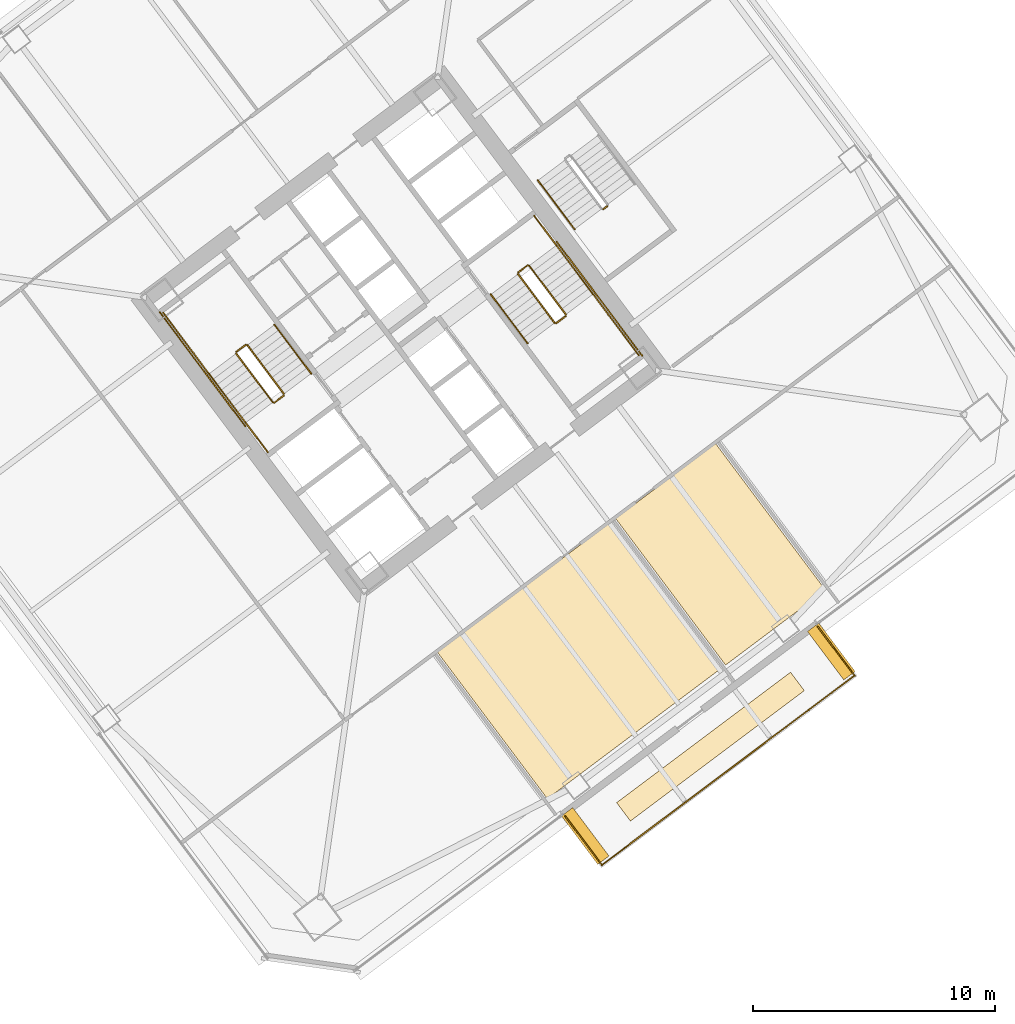
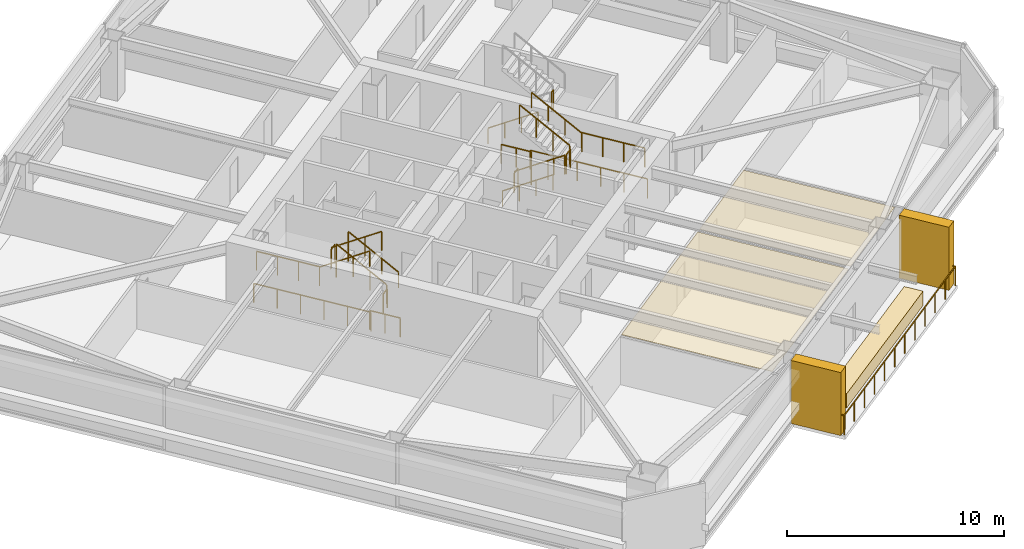
# One storey, part 42 of 44: 23 railings, 5 coverings.
"""IFC4 building model written with IfcOpenShell, lengths in metres."""

from ifc_helpers import new_model, si_unit, direction, frame, origin, origin_2d, place, context, subcontext, project, spatial, polyline, rectangle, outline, extrude, material, layer, layer_set, type_object, element, save


model = new_model("IFC4")

# Units and contexts
model_context = context("Model", 3, precision=1e-05, world=origin(), true_north=direction((0.0, 1.0)))
body_context = subcontext(model_context, "Body", "Model", "MODEL_VIEW")
ifc_project = project(units=[si_unit("LENGTHUNIT", "METRE"), si_unit("AREAUNIT", "SQUARE_METRE"), si_unit("VOLUMEUNIT", "CUBIC_METRE"), si_unit("PLANEANGLEUNIT", "RADIAN"), si_unit("MASSUNIT", "GRAM", prefix="KILO")], contexts=[model_context])

# Site, building, storey
site_placement = place(None, origin())
site = spatial("IfcSite", under=ifc_project, at=site_placement, CompositionType="ELEMENT")
building_placement = place(site_placement, origin())
building = spatial("IfcBuilding", under=site, at=building_placement, Name="Tashvorn Skyway Center", CompositionType="ELEMENT")
storey_placement = place(building_placement, frame((0.0, 0.0, 102.699951171875)))
storey = spatial("IfcBuildingStorey", under=building, at=storey_placement, Name="L27", CompositionType="ELEMENT", Elevation=102.699951171875)

# Coverings
ifc_material_1 = material(Name="Mineral-fibre acoustic ceiling tile on suspended grid")
ifc_layer_1 = layer(ifc_material_1, 0.02001953125)
ifc_layer_set_1 = layer_set([ifc_layer_1], Name="Mineral-fibre acoustic ceiling tile on suspended grid")
covering_type_1 = type_object("IfcCoveringType", Name="COV-CEIL-20", PredefinedType="CEILING", material=ifc_layer_set_1)
covering_1_placement = place(storey_placement, frame((0.0, 0.0, 2.68310546875)))
element("IfcCovering", 1, at=covering_1_placement, inside=storey, type_object=covering_type_1, Name="Tower 2 L27 Reading Lounge Acoustic Ceiling", PredefinedType="CEILING", context=body_context, shape_type="SweptSolid", body=[
    extrude(outline(polyline([(115.501953125, 18.864013671875), (122.669921875, 24.239990234375), (127.2119140625, 18.18408203125), (120.0439453125, 12.80810546875), (115.501953125, 18.864013671875)])), origin(), (0.0, 0.0, 1.0), 0.02001953125),
])
covering_2_placement = place(storey_placement, frame((0.0, 0.0, 2.68310546875)))
element("IfcCovering", 2, at=covering_2_placement, inside=storey, type_object=covering_type_1, Name="Tower 2 L27 Reading Lounge Acoustic Ceiling", PredefinedType="CEILING", context=body_context, shape_type="SweptSolid", body=[
    extrude(outline(polyline([(122.862060546875, 24.384033203125), (126.989990234375, 27.47998046875), (131.531982421875, 21.424072265625), (127.404052734375, 18.327880859375), (122.862060546875, 24.384033203125)])), origin(), (0.0, 0.0, 1.0), 0.02001953125),
])
ifc_material_2 = material(Name="Precast concrete C40/50", Category="concrete")
ifc_layer_2 = layer(ifc_material_2, 0.35009765625)
ifc_layer_set_2 = layer_set([ifc_layer_2], Name="Precast concrete C40/50")
covering_type_2 = type_object("IfcCoveringType", Name="COV-STONE-TRIM", PredefinedType="CLADDING", material=ifc_layer_set_2)
for number, where, z_axis, x_axis, name in (
    (3, (131.77001953125, 18.889892578125, 0.0), (0.0, 0.0, 1.0), (-0.799999996291, -0.600000004945, 0.0), "Tower 2 L27 Sky Garden Loggia Pier L"),
    (4, (121.610107421875, 11.27001953125, 0.0), (0.0, 0.0, 1.0), (-0.799999996291, -0.600000004945, 0.0), "Tower 2 L27 Sky Garden Loggia Pier R"),
):
    element("IfcCovering", number, at=place(storey_placement, frame(where, z_axis=z_axis, x_axis=x_axis)), inside=storey, type_object=covering_type_2, Name=name, PredefinedType="CLADDING", context=body_context, shape_type="SweptSolid", body=[
        extrude(rectangle(XDim=0.580078125, YDim=2.5, at=origin_2d()), origin(), (0.0, 0.0, 1.0), 3.550048828125),
    ])
covering_3_placement = place(storey_placement, frame((126.780029296875, 14.9599609375, 0.0), z_axis=(0.0, 0.0, 1.0), x_axis=(-0.799999996291, -0.600000004945, 0.0)))
element("IfcCovering", 5, at=covering_3_placement, inside=storey, type_object=covering_type_2, Name="Tower 2 L27 Sky Garden Stone Planter Bed", PredefinedType="CLADDING", context=body_context, shape_type="SweptSolid", body=[
    extrude(rectangle(XDim=8.97607421875, YDim=0.949951171875, at=origin_2d()), origin(), (0.0, 0.0, 1.0), 0.800048828125),
])

# Railings
ifc_material_3 = material(Name="Galvanized steel S355", Category="steel")
railing_type_1 = type_object("IfcRailingType", Name="RAIL-GUARD-1120", PredefinedType="GUARDRAIL", material=ifc_material_3)
railing_1_placement = place(storey_placement, frame((120.783935546875, 12.087890625, 0.0)))
element("IfcRailing", 6, at=railing_1_placement, inside=storey, type_object=railing_type_1, Name="L27 Tower 2 Terrace Guardrail 01", PredefinedType="GUARDRAIL", context=body_context, shape_type="SweptSolid", body=[
    extrude(rectangle(XDim=0.048095703125, YDim=0.048095703125, at=origin_2d()), frame((0.0, 0.0, 1.09619140625), z_axis=(0.60001550166, -0.79998837352, 0.0), x_axis=(0.79998837352, 0.60001550166, 0.0)), (0.0, 0.0, 1.0), 2.519775390625),
    extrude(rectangle(XDim=0.0419921875, YDim=0.0419921875, at=origin_2d()), origin(), (0.0, 0.0, 1.0), 1.072021484375),
    extrude(rectangle(XDim=0.0419921875, YDim=0.0419921875, at=origin_2d()), frame((0.50390625, -0.671875, 0.0)), (0.0, 0.0, 1.0), 1.072021484375),
    extrude(rectangle(XDim=0.0419921875, YDim=0.0419921875, at=origin_2d()), frame((1.008056640625, -1.343994140625, 0.0)), (0.0, 0.0, 1.0), 1.072021484375),
    extrude(rectangle(XDim=0.0419921875, YDim=0.0419921875, at=origin_2d()), frame((1.511962890625, -2.015869140625, 0.0)), (0.0, 0.0, 1.0), 1.072021484375),
])
railing_2_placement = place(storey_placement, frame((122.2958984375, 10.072021484375, 0.0)))
element("IfcRailing", 7, at=railing_2_placement, inside=storey, type_object=railing_type_1, Name="L27 Tower 2 Terrace Guardrail 02", PredefinedType="GUARDRAIL", context=body_context, shape_type="SweptSolid", body=[
    extrude(rectangle(XDim=0.048095703125, YDim=0.048095703125, at=origin_2d()), frame((0.0, 0.0, 1.09619140625), z_axis=(0.800004493333, 0.599994008843, 0.0), x_axis=(-0.599994008843, 0.800004493333, 0.0)), (0.0, 0.0, 1.0), 13.0400390625),
    extrude(rectangle(XDim=0.0419921875, YDim=0.0419921875, at=origin_2d()), origin(), (0.0, 0.0, 1.0), 1.072021484375),
    extrude(rectangle(XDim=0.0419921875, YDim=0.0419921875, at=origin_2d()), frame((0.948486328125, 0.711181640625, 0.0)), (0.0, 0.0, 1.0), 1.072021484375),
    extrude(rectangle(XDim=0.0419921875, YDim=0.0419921875, at=origin_2d()), frame((1.896728515625, 1.422607421875, 0.0)), (0.0, 0.0, 1.0), 1.072021484375),
    extrude(rectangle(XDim=0.0419921875, YDim=0.0419921875, at=origin_2d()), frame((2.84521484375, 2.1337890625, 0.0)), (0.0, 0.0, 1.0), 1.072021484375),
    extrude(rectangle(XDim=0.0419921875, YDim=0.0419921875, at=origin_2d()), frame((3.79345703125, 2.844970703125, 0.0)), (0.0, 0.0, 1.0), 1.072021484375),
    extrude(rectangle(XDim=0.0419921875, YDim=0.0419921875, at=origin_2d()), frame((4.741943359375, 3.556396484375, 0.0)), (0.0, 0.0, 1.0), 1.072021484375),
    extrude(rectangle(XDim=0.0419921875, YDim=0.0419921875, at=origin_2d()), frame((5.690185546875, 4.267578125, 0.0)), (0.0, 0.0, 1.0), 1.072021484375),
    extrude(rectangle(XDim=0.0419921875, YDim=0.0419921875, at=origin_2d()), frame((6.638671875, 4.97900390625, 0.0)), (0.0, 0.0, 1.0), 1.072021484375),
    extrude(rectangle(XDim=0.0419921875, YDim=0.0419921875, at=origin_2d()), frame((7.5869140625, 5.690185546875, 0.0)), (0.0, 0.0, 1.0), 1.072021484375),
    extrude(rectangle(XDim=0.0419921875, YDim=0.0419921875, at=origin_2d()), frame((8.535400390625, 6.4013671875, 0.0)), (0.0, 0.0, 1.0), 1.072021484375),
    extrude(rectangle(XDim=0.0419921875, YDim=0.0419921875, at=origin_2d()), frame((9.483642578125, 7.11279296875, 0.0)), (0.0, 0.0, 1.0), 1.072021484375),
    extrude(rectangle(XDim=0.0419921875, YDim=0.0419921875, at=origin_2d()), frame((10.43212890625, 7.823974609375, 0.0)), (0.0, 0.0, 1.0), 1.072021484375),
])
railing_3_placement = place(storey_placement, frame((132.72802734375, 17.89599609375, 0.0)))
element("IfcRailing", 8, at=railing_3_placement, inside=storey, type_object=railing_type_1, Name="L27 Tower 2 Terrace Guardrail 03", PredefinedType="GUARDRAIL", context=body_context, shape_type="SweptSolid", body=[
    extrude(rectangle(XDim=0.048095703125, YDim=0.048095703125, at=origin_2d()), frame((0.0, 0.0, 1.09619140625), z_axis=(-0.599968998406, 0.800023250257, 0.0), x_axis=(-0.800023250257, -0.599968998406, 0.0)), (0.0, 0.0, 1.0), 2.52001953125),
    extrude(rectangle(XDim=0.0419921875, YDim=0.0419921875, at=origin_2d()), origin(), (0.0, 0.0, 1.0), 1.072021484375),
    extrude(rectangle(XDim=0.0419921875, YDim=0.0419921875, at=origin_2d()), frame((-0.50390625, 0.672119140625, 0.0)), (0.0, 0.0, 1.0), 1.072021484375),
    extrude(rectangle(XDim=0.0419921875, YDim=0.0419921875, at=origin_2d()), frame((-1.008056640625, 1.343994140625, 0.0)), (0.0, 0.0, 1.0), 1.072021484375),
    extrude(rectangle(XDim=0.0419921875, YDim=0.0419921875, at=origin_2d()), frame((-1.511962890625, 2.01611328125, 0.0)), (0.0, 0.0, 1.0), 1.072021484375),
])
ifc_material_4 = material(Name="Brushed stainless steel 316", Category="steel")
railing_type_2 = type_object("IfcRailingType", Name="RAIL-HAND-920", PredefinedType="HANDRAIL", material=ifc_material_4)
railing_4_placement = place(storey_placement, frame((110.2880859375, 30.365966796875, 0.177490234375)))
element("IfcRailing", 9, at=railing_4_placement, inside=storey, type_object=railing_type_2, Name="L27 ST-T2-1 stair handrail 1", PredefinedType="HANDRAIL", context=body_context, shape_type="SweptSolid", body=[
    extrude(rectangle(XDim=0.048095703125, YDim=0.048095703125, at=origin_2d()), frame((0.0, 0.0, 0.8759765625), z_axis=(-0.506779409603, 0.675651334276, 0.53541563714), x_axis=(-0.799976749893, -0.600030998891, 0.0)), (0.0, 0.0, 1.0), 2.98388671875),
    extrude(rectangle(XDim=0.0419921875, YDim=0.0419921875, at=origin_2d()), origin(), (0.0, 0.0, 1.0), 0.851806640625),
    extrude(rectangle(XDim=0.0419921875, YDim=0.0419921875, at=origin_2d()), frame((-0.504150390625, 0.672119140625, 0.532470703125)), (0.0, 0.0, 1.0), 0.851806640625),
    extrude(rectangle(XDim=0.0419921875, YDim=0.0419921875, at=origin_2d()), frame((-1.008056640625, 1.343994140625, 1.065185546875)), (0.0, 0.0, 1.0), 0.851806640625),
    extrude(rectangle(XDim=0.0419921875, YDim=0.0419921875, at=origin_2d()), frame((-1.51220703125, 2.01611328125, 1.59765625)), (0.0, 0.0, 1.0), 0.851806640625),
])
railing_5_placement = place(storey_placement, frame((106.072021484375, 30.35400390625, 1.95263671875)))
element("IfcRailing", 10, at=railing_5_placement, inside=storey, type_object=railing_type_2, Name="L27 ST-T2-1 stair handrail 2", PredefinedType="HANDRAIL", context=body_context, shape_type="SweptSolid", body=[
    extrude(rectangle(XDim=0.048095703125, YDim=0.048095703125, at=origin_2d()), frame((0.0, 0.0, 0.8759765625), z_axis=(0.506740800098, -0.675708949977, 0.535379469569), x_axis=(0.800023250257, 0.599968998406, 0.0)), (0.0, 0.0, 1.0), 2.983642578125),
    extrude(rectangle(XDim=0.0419921875, YDim=0.0419921875, at=origin_2d()), origin(), (0.0, 0.0, 1.0), 0.851806640625),
    extrude(rectangle(XDim=0.0419921875, YDim=0.0419921875, at=origin_2d()), frame((0.50390625, -0.672119140625, 0.532470703125)), (0.0, 0.0, 1.0), 0.851806640625),
    extrude(rectangle(XDim=0.0419921875, YDim=0.0419921875, at=origin_2d()), frame((1.008056640625, -1.343994140625, 1.06494140625)), (0.0, 0.0, 1.0), 0.851806640625),
    extrude(rectangle(XDim=0.0419921875, YDim=0.0419921875, at=origin_2d()), frame((1.511962890625, -2.01611328125, 1.597412109375)), (0.0, 0.0, 1.0), 0.851806640625),
])
railing_6_placement = place(storey_placement, frame((117.7119140625, 33.634033203125, 0.177490234375)))
element("IfcRailing", 11, at=railing_6_placement, inside=storey, type_object=railing_type_2, Name="L27 ST-T2-2 stair handrail 1", PredefinedType="HANDRAIL", context=body_context, shape_type="SweptSolid", body=[
    extrude(rectangle(XDim=0.048095703125, YDim=0.048095703125, at=origin_2d()), frame((0.0, 0.0, 0.8759765625), z_axis=(0.506779409603, -0.675651334276, 0.53541563714), x_axis=(0.799976749893, 0.600030998891, 0.0)), (0.0, 0.0, 1.0), 2.98388671875),
    extrude(rectangle(XDim=0.0419921875, YDim=0.0419921875, at=origin_2d()), origin(), (0.0, 0.0, 1.0), 0.851806640625),
    extrude(rectangle(XDim=0.0419921875, YDim=0.0419921875, at=origin_2d()), frame((0.504150390625, -0.672119140625, 0.532470703125)), (0.0, 0.0, 1.0), 0.851806640625),
    extrude(rectangle(XDim=0.0419921875, YDim=0.0419921875, at=origin_2d()), frame((1.008056640625, -1.343994140625, 1.065185546875)), (0.0, 0.0, 1.0), 0.851806640625),
    extrude(rectangle(XDim=0.0419921875, YDim=0.0419921875, at=origin_2d()), frame((1.51220703125, -2.01611328125, 1.59765625)), (0.0, 0.0, 1.0), 0.851806640625),
])
railing_7_placement = place(storey_placement, frame((121.927978515625, 33.64599609375, 1.95263671875)))
element("IfcRailing", 12, at=railing_7_placement, inside=storey, type_object=railing_type_2, Name="L27 ST-T2-2 stair handrail 2", PredefinedType="HANDRAIL", context=body_context, shape_type="SweptSolid", body=[
    extrude(rectangle(XDim=0.048095703125, YDim=0.048095703125, at=origin_2d()), frame((0.0, 0.0, 0.8759765625), z_axis=(-0.506740800098, 0.675708949977, 0.535379469569), x_axis=(-0.800023250257, -0.599968998406, 0.0)), (0.0, 0.0, 1.0), 2.983642578125),
    extrude(rectangle(XDim=0.0419921875, YDim=0.0419921875, at=origin_2d()), origin(), (0.0, 0.0, 1.0), 0.851806640625),
    extrude(rectangle(XDim=0.0419921875, YDim=0.0419921875, at=origin_2d()), frame((-0.50390625, 0.672119140625, 0.532470703125)), (0.0, 0.0, 1.0), 0.851806640625),
    extrude(rectangle(XDim=0.0419921875, YDim=0.0419921875, at=origin_2d()), frame((-1.008056640625, 1.343994140625, 1.06494140625)), (0.0, 0.0, 1.0), 0.851806640625),
    extrude(rectangle(XDim=0.0419921875, YDim=0.0419921875, at=origin_2d()), frame((-1.511962890625, 2.01611328125, 1.597412109375)), (0.0, 0.0, 1.0), 0.851806640625),
])
railing_8_placement = place(storey_placement, frame((119.656005859375, 38.342041015625, 0.177490234375)))
element("IfcRailing", 13, at=railing_8_placement, inside=storey, type_object=railing_type_2, Name="L27 ST-T2-3 stair handrail 1", PredefinedType="HANDRAIL", context=body_context, shape_type="SweptSolid", body=[
    extrude(rectangle(XDim=0.048095703125, YDim=0.048095703125, at=origin_2d()), frame((0.0, 0.0, 0.8759765625), z_axis=(0.506718600913, -0.675679348675, 0.535437836974), x_axis=(0.800023250257, 0.599968998406, 0.0)), (0.0, 0.0, 1.0), 2.98388671875),
    extrude(rectangle(XDim=0.0419921875, YDim=0.0419921875, at=origin_2d()), origin(), (0.0, 0.0, 1.0), 0.851806640625),
    extrude(rectangle(XDim=0.0419921875, YDim=0.0419921875, at=origin_2d()), frame((0.50390625, -0.672119140625, 0.532470703125)), (0.0, 0.0, 1.0), 0.851806640625),
    extrude(rectangle(XDim=0.0419921875, YDim=0.0419921875, at=origin_2d()), frame((1.008056640625, -1.343994140625, 1.065185546875)), (0.0, 0.0, 1.0), 0.851806640625),
    extrude(rectangle(XDim=0.0419921875, YDim=0.0419921875, at=origin_2d()), frame((1.511962890625, -2.01611328125, 1.59765625)), (0.0, 0.0, 1.0), 0.851806640625),
])
ifc_material_5 = material(Name="Painted galvanized steel S355", Category="steel")
railing_type_3 = type_object("IfcRailingType", Name="RAIL-STGUARD-1100", PredefinedType="GUARDRAIL", material=ifc_material_5)
railing_9_placement = place(storey_placement, frame((109.16796875, 29.52587890625, 0.177490234375)))
element("IfcRailing", 14, at=railing_9_placement, inside=storey, type_object=railing_type_3, Name="L27 ST-T2-1 stair guard 1", PredefinedType="GUARDRAIL", context=body_context, shape_type="SweptSolid", body=[
    extrude(rectangle(XDim=0.048095703125, YDim=0.048095703125, at=origin_2d()), frame((0.0, 0.0, 1.076171875), z_axis=(-0.506718600913, 0.675679348675, 0.535437836974), x_axis=(-0.800023250257, -0.599968998406, 0.0)), (0.0, 0.0, 1.0), 2.98388671875),
    extrude(rectangle(XDim=0.0419921875, YDim=0.0419921875, at=origin_2d()), origin(), (0.0, 0.0, 1.0), 1.052001953125),
    extrude(rectangle(XDim=0.0419921875, YDim=0.0419921875, at=origin_2d()), frame((-0.50390625, 0.672119140625, 0.532470703125)), (0.0, 0.0, 1.0), 1.052001953125),
    extrude(rectangle(XDim=0.0419921875, YDim=0.0419921875, at=origin_2d()), frame((-1.008056640625, 1.343994140625, 1.065185546875)), (0.0, 0.0, 1.0), 1.052001953125),
    extrude(rectangle(XDim=0.0419921875, YDim=0.0419921875, at=origin_2d()), frame((-1.511962890625, 2.01611328125, 1.59765625)), (0.0, 0.0, 1.0), 1.052001953125),
])
railing_10_placement = place(storey_placement, frame((107.5859375, 31.552001953125, 1.775146484375)))
element("IfcRailing", 15, at=railing_10_placement, inside=storey, type_object=railing_type_3, Name="L27 ST-T2-1 stair guard 2", PredefinedType="GUARDRAIL", context=body_context, shape_type="SweptSolid", body=[
    extrude(rectangle(XDim=0.048095703125, YDim=0.048095703125, at=origin_2d()), frame((0.0, 0.0, 1.076171875), z_axis=(-0.799938970639, -0.600081363861, 0.0), x_axis=(0.600081363861, -0.799938970639, 0.0)), (0.0, 0.0, 1.0), 0.47998046875),
    extrude(rectangle(XDim=0.0419921875, YDim=0.0419921875, at=origin_2d()), origin(), (0.0, 0.0, 1.0), 1.052001953125),
    extrude(rectangle(XDim=0.0419921875, YDim=0.0419921875, at=origin_2d()), frame((-0.384033203125, -0.2880859375, 0.0)), (0.0, 0.0, 1.0), 1.052001953125),
])
railing_11_placement = place(storey_placement, frame((106.072021484375, 30.35400390625, 1.775146484375)))
element("IfcRailing", 16, at=railing_11_placement, inside=storey, type_object=railing_type_3, Name="L27 ST-T2-1 stair guard 3", PredefinedType="GUARDRAIL", context=body_context, shape_type="SweptSolid", body=[
    extrude(rectangle(XDim=0.048095703125, YDim=0.048095703125, at=origin_2d()), frame((0.0, 0.0, 1.076171875), z_axis=(-0.599987638607, 0.800009270896, 0.0), x_axis=(-0.800009270896, -0.599987638607, 0.0)), (0.0, 0.0, 1.0), 3.16015625),
    extrude(rectangle(XDim=0.0419921875, YDim=0.0419921875, at=origin_2d()), origin(), (0.0, 0.0, 1.0), 1.052001953125),
    extrude(rectangle(XDim=0.0419921875, YDim=0.0419921875, at=origin_2d()), frame((-0.632080078125, 0.8427734375, 0.0)), (0.0, 0.0, 1.0), 1.052001953125),
    extrude(rectangle(XDim=0.0419921875, YDim=0.0419921875, at=origin_2d()), frame((-1.263916015625, 1.685302734375, 0.0)), (0.0, 0.0, 1.0), 1.052001953125),
    extrude(rectangle(XDim=0.0419921875, YDim=0.0419921875, at=origin_2d()), frame((-1.89599609375, 2.528076171875, 0.0)), (0.0, 0.0, 1.0), 1.052001953125),
])
railing_12_placement = place(storey_placement, frame((107.19189453125, 31.194091796875, 1.95263671875)))
element("IfcRailing", 17, at=railing_12_placement, inside=storey, type_object=railing_type_3, Name="L27 ST-T2-1 stair guard 4", PredefinedType="GUARDRAIL", context=body_context, shape_type="SweptSolid", body=[
    extrude(rectangle(XDim=0.048095703125, YDim=0.048095703125, at=origin_2d()), frame((0.0, 0.0, 1.076171875), z_axis=(0.506801609611, -0.675680931896, 0.535357270211), x_axis=(0.799976749893, 0.600030998891, 0.0)), (0.0, 0.0, 1.0), 2.98388671875),
    extrude(rectangle(XDim=0.0419921875, YDim=0.0419921875, at=origin_2d()), origin(), (0.0, 0.0, 1.0), 1.052001953125),
    extrude(rectangle(XDim=0.0419921875, YDim=0.0419921875, at=origin_2d()), frame((0.504150390625, -0.672119140625, 0.532470703125)), (0.0, 0.0, 1.0), 1.052001953125),
    extrude(rectangle(XDim=0.0419921875, YDim=0.0419921875, at=origin_2d()), frame((1.008056640625, -1.343994140625, 1.06494140625)), (0.0, 0.0, 1.0), 1.052001953125),
    extrude(rectangle(XDim=0.0419921875, YDim=0.0419921875, at=origin_2d()), frame((1.51220703125, -2.01611328125, 1.597412109375)), (0.0, 0.0, 1.0), 1.052001953125),
])
railing_13_placement = place(storey_placement, frame((109.157958984375, 29.4560546875, 0.0)))
element("IfcRailing", 18, at=railing_13_placement, inside=storey, type_object=railing_type_3, Name="L27 ST-T2-1 stair guard 5", PredefinedType="GUARDRAIL", context=body_context, shape_type="SweptSolid", body=[
    extrude(rectangle(XDim=0.048095703125, YDim=0.048095703125, at=origin_2d()), frame((0.0, 0.0, 1.076171875), z_axis=(-0.799938970639, -0.600081363861, 0.0), x_axis=(0.600081363861, -0.799938970639, 0.0)), (0.0, 0.0, 1.0), 0.47998046875),
    extrude(rectangle(XDim=0.0419921875, YDim=0.0419921875, at=origin_2d()), origin(), (0.0, 0.0, 1.0), 1.052001953125),
    extrude(rectangle(XDim=0.0419921875, YDim=0.0419921875, at=origin_2d()), frame((-0.384033203125, -0.2880859375, 0.0)), (0.0, 0.0, 1.0), 1.052001953125),
])
railing_14_placement = place(storey_placement, frame((108.49609375, 27.1220703125, 0.0)))
element("IfcRailing", 19, at=railing_14_placement, inside=storey, type_object=railing_type_3, Name="L27 ST-T2-1 stair guard 6", PredefinedType="GUARDRAIL", context=body_context, shape_type="SweptSolid", body=[
    extrude(rectangle(XDim=0.048095703125, YDim=0.048095703125, at=origin_2d()), frame((0.0, 0.0, 1.076171875), z_axis=(-0.600102796382, 0.799922892393, 0.0), x_axis=(-0.799922892393, -0.600102796382, 0.0)), (0.0, 0.0, 1.0), 1.52001953125),
    extrude(rectangle(XDim=0.0419921875, YDim=0.0419921875, at=origin_2d()), origin(), (0.0, 0.0, 1.0), 1.052001953125),
    extrude(rectangle(XDim=0.0419921875, YDim=0.0419921875, at=origin_2d()), frame((-0.4560546875, 0.60791015625, 0.0)), (0.0, 0.0, 1.0), 1.052001953125),
    extrude(rectangle(XDim=0.0419921875, YDim=0.0419921875, at=origin_2d()), frame((-0.912109375, 1.2158203125, 0.0)), (0.0, 0.0, 1.0), 1.052001953125),
])
railing_15_placement = place(storey_placement, frame((107.56396484375, 28.197998046875, 0.0)))
element("IfcRailing", 20, at=railing_15_placement, inside=storey, type_object=railing_type_3, Name="L27 ST-T2-1 stair guard 7", PredefinedType="GUARDRAIL", context=body_context, shape_type="SweptSolid", body=[
    extrude(rectangle(XDim=0.048095703125, YDim=0.048095703125, at=origin_2d()), frame((0.0, 0.0, 1.076171875), z_axis=(-0.6, 0.8, 0.0), x_axis=(-0.8, -0.6, 0.0)), (0.0, 0.0, 1.0), 5.880126953125),
    extrude(rectangle(XDim=0.0419921875, YDim=0.0419921875, at=origin_2d()), origin(), (0.0, 0.0, 1.0), 1.052001953125),
    extrude(rectangle(XDim=0.0419921875, YDim=0.0419921875, at=origin_2d()), frame((-0.70556640625, 0.94091796875, 0.0)), (0.0, 0.0, 1.0), 1.052001953125),
    extrude(rectangle(XDim=0.0419921875, YDim=0.0419921875, at=origin_2d()), frame((-1.4111328125, 1.881591796875, 0.0)), (0.0, 0.0, 1.0), 1.052001953125),
    extrude(rectangle(XDim=0.0419921875, YDim=0.0419921875, at=origin_2d()), frame((-2.116943359375, 2.822509765625, 0.0)), (0.0, 0.0, 1.0), 1.052001953125),
    extrude(rectangle(XDim=0.0419921875, YDim=0.0419921875, at=origin_2d()), frame((-2.822509765625, 3.76318359375, 0.0)), (0.0, 0.0, 1.0), 1.052001953125),
    extrude(rectangle(XDim=0.0419921875, YDim=0.0419921875, at=origin_2d()), frame((-3.528076171875, 4.7041015625, 0.0)), (0.0, 0.0, 1.0), 1.052001953125),
])
railing_16_placement = place(storey_placement, frame((118.83203125, 34.47412109375, 0.177490234375)))
element("IfcRailing", 21, at=railing_16_placement, inside=storey, type_object=railing_type_3, Name="L27 ST-T2-2 stair guard 1", PredefinedType="GUARDRAIL", context=body_context, shape_type="SweptSolid", body=[
    extrude(rectangle(XDim=0.048095703125, YDim=0.048095703125, at=origin_2d()), frame((0.0, 0.0, 1.076171875), z_axis=(0.506718600913, -0.675679348675, 0.535437836974), x_axis=(0.800023250257, 0.599968998406, 0.0)), (0.0, 0.0, 1.0), 2.98388671875),
    extrude(rectangle(XDim=0.0419921875, YDim=0.0419921875, at=origin_2d()), origin(), (0.0, 0.0, 1.0), 1.052001953125),
    extrude(rectangle(XDim=0.0419921875, YDim=0.0419921875, at=origin_2d()), frame((0.50390625, -0.672119140625, 0.532470703125)), (0.0, 0.0, 1.0), 1.052001953125),
    extrude(rectangle(XDim=0.0419921875, YDim=0.0419921875, at=origin_2d()), frame((1.008056640625, -1.343994140625, 1.065185546875)), (0.0, 0.0, 1.0), 1.052001953125),
    extrude(rectangle(XDim=0.0419921875, YDim=0.0419921875, at=origin_2d()), frame((1.511962890625, -2.01611328125, 1.59765625)), (0.0, 0.0, 1.0), 1.052001953125),
])
railing_17_placement = place(storey_placement, frame((120.4140625, 32.447998046875, 1.775146484375)))
element("IfcRailing", 22, at=railing_17_placement, inside=storey, type_object=railing_type_3, Name="L27 ST-T2-2 stair guard 2", PredefinedType="GUARDRAIL", context=body_context, shape_type="SweptSolid", body=[
    extrude(rectangle(XDim=0.048095703125, YDim=0.048095703125, at=origin_2d()), frame((0.0, 0.0, 1.076171875), z_axis=(0.799938970639, 0.600081363861, 0.0), x_axis=(-0.600081363861, 0.799938970639, 0.0)), (0.0, 0.0, 1.0), 0.47998046875),
    extrude(rectangle(XDim=0.0419921875, YDim=0.0419921875, at=origin_2d()), origin(), (0.0, 0.0, 1.0), 1.052001953125),
    extrude(rectangle(XDim=0.0419921875, YDim=0.0419921875, at=origin_2d()), frame((0.384033203125, 0.2880859375, 0.0)), (0.0, 0.0, 1.0), 1.052001953125),
])
railing_18_placement = place(storey_placement, frame((121.927978515625, 33.64599609375, 1.775146484375)))
element("IfcRailing", 23, at=railing_18_placement, inside=storey, type_object=railing_type_3, Name="L27 ST-T2-2 stair guard 3", PredefinedType="GUARDRAIL", context=body_context, shape_type="SweptSolid", body=[
    extrude(rectangle(XDim=0.048095703125, YDim=0.048095703125, at=origin_2d()), frame((0.0, 0.0, 1.076171875), z_axis=(0.599987638607, -0.800009270896, 0.0), x_axis=(0.800009270896, 0.599987638607, 0.0)), (0.0, 0.0, 1.0), 3.16015625),
    extrude(rectangle(XDim=0.0419921875, YDim=0.0419921875, at=origin_2d()), origin(), (0.0, 0.0, 1.0), 1.052001953125),
    extrude(rectangle(XDim=0.0419921875, YDim=0.0419921875, at=origin_2d()), frame((0.632080078125, -0.8427734375, 0.0)), (0.0, 0.0, 1.0), 1.052001953125),
    extrude(rectangle(XDim=0.0419921875, YDim=0.0419921875, at=origin_2d()), frame((1.263916015625, -1.685302734375, 0.0)), (0.0, 0.0, 1.0), 1.052001953125),
    extrude(rectangle(XDim=0.0419921875, YDim=0.0419921875, at=origin_2d()), frame((1.89599609375, -2.528076171875, 0.0)), (0.0, 0.0, 1.0), 1.052001953125),
])
railing_19_placement = place(storey_placement, frame((120.80810546875, 32.805908203125, 1.95263671875)))
element("IfcRailing", 24, at=railing_19_placement, inside=storey, type_object=railing_type_3, Name="L27 ST-T2-2 stair guard 4", PredefinedType="GUARDRAIL", context=body_context, shape_type="SweptSolid", body=[
    extrude(rectangle(XDim=0.048095703125, YDim=0.048095703125, at=origin_2d()), frame((0.0, 0.0, 1.076171875), z_axis=(-0.506801609611, 0.675680931896, 0.535357270211), x_axis=(-0.799976749893, -0.600030998891, 0.0)), (0.0, 0.0, 1.0), 2.98388671875),
    extrude(rectangle(XDim=0.0419921875, YDim=0.0419921875, at=origin_2d()), origin(), (0.0, 0.0, 1.0), 1.052001953125),
    extrude(rectangle(XDim=0.0419921875, YDim=0.0419921875, at=origin_2d()), frame((-0.504150390625, 0.672119140625, 0.532470703125)), (0.0, 0.0, 1.0), 1.052001953125),
    extrude(rectangle(XDim=0.0419921875, YDim=0.0419921875, at=origin_2d()), frame((-1.008056640625, 1.343994140625, 1.06494140625)), (0.0, 0.0, 1.0), 1.052001953125),
    extrude(rectangle(XDim=0.0419921875, YDim=0.0419921875, at=origin_2d()), frame((-1.51220703125, 2.01611328125, 1.597412109375)), (0.0, 0.0, 1.0), 1.052001953125),
])
railing_20_placement = place(storey_placement, frame((118.842041015625, 34.5439453125, 0.0)))
element("IfcRailing", 25, at=railing_20_placement, inside=storey, type_object=railing_type_3, Name="L27 ST-T2-2 stair guard 5", PredefinedType="GUARDRAIL", context=body_context, shape_type="SweptSolid", body=[
    extrude(rectangle(XDim=0.048095703125, YDim=0.048095703125, at=origin_2d()), frame((0.0, 0.0, 1.076171875), z_axis=(0.799938970639, 0.600081363861, 0.0), x_axis=(-0.600081363861, 0.799938970639, 0.0)), (0.0, 0.0, 1.0), 0.47998046875),
    extrude(rectangle(XDim=0.0419921875, YDim=0.0419921875, at=origin_2d()), origin(), (0.0, 0.0, 1.0), 1.052001953125),
    extrude(rectangle(XDim=0.0419921875, YDim=0.0419921875, at=origin_2d()), frame((0.384033203125, 0.2880859375, 0.0)), (0.0, 0.0, 1.0), 1.052001953125),
])
railing_21_placement = place(storey_placement, frame((119.50390625, 36.8779296875, 0.0)))
element("IfcRailing", 26, at=railing_21_placement, inside=storey, type_object=railing_type_3, Name="L27 ST-T2-2 stair guard 6", PredefinedType="GUARDRAIL", context=body_context, shape_type="SweptSolid", body=[
    extrude(rectangle(XDim=0.048095703125, YDim=0.048095703125, at=origin_2d()), frame((0.0, 0.0, 1.076171875), z_axis=(0.600102796382, -0.799922892393, 0.0), x_axis=(0.799922892393, 0.600102796382, 0.0)), (0.0, 0.0, 1.0), 1.52001953125),
    extrude(rectangle(XDim=0.0419921875, YDim=0.0419921875, at=origin_2d()), origin(), (0.0, 0.0, 1.0), 1.052001953125),
    extrude(rectangle(XDim=0.0419921875, YDim=0.0419921875, at=origin_2d()), frame((0.4560546875, -0.60791015625, 0.0)), (0.0, 0.0, 1.0), 1.052001953125),
    extrude(rectangle(XDim=0.0419921875, YDim=0.0419921875, at=origin_2d()), frame((0.912109375, -1.2158203125, 0.0)), (0.0, 0.0, 1.0), 1.052001953125),
])
railing_22_placement = place(storey_placement, frame((120.43603515625, 35.802001953125, 0.0)))
element("IfcRailing", 27, at=railing_22_placement, inside=storey, type_object=railing_type_3, Name="L27 ST-T2-2 stair guard 7", PredefinedType="GUARDRAIL", context=body_context, shape_type="SweptSolid", body=[
    extrude(rectangle(XDim=0.048095703125, YDim=0.048095703125, at=origin_2d()), frame((0.0, 0.0, 1.076171875), z_axis=(0.6, -0.8, 0.0), x_axis=(0.8, 0.6, 0.0)), (0.0, 0.0, 1.0), 5.880126953125),
    extrude(rectangle(XDim=0.0419921875, YDim=0.0419921875, at=origin_2d()), origin(), (0.0, 0.0, 1.0), 1.052001953125),
    extrude(rectangle(XDim=0.0419921875, YDim=0.0419921875, at=origin_2d()), frame((0.70556640625, -0.94091796875, 0.0)), (0.0, 0.0, 1.0), 1.052001953125),
    extrude(rectangle(XDim=0.0419921875, YDim=0.0419921875, at=origin_2d()), frame((1.4111328125, -1.881591796875, 0.0)), (0.0, 0.0, 1.0), 1.052001953125),
    extrude(rectangle(XDim=0.0419921875, YDim=0.0419921875, at=origin_2d()), frame((2.116943359375, -2.822509765625, 0.0)), (0.0, 0.0, 1.0), 1.052001953125),
    extrude(rectangle(XDim=0.0419921875, YDim=0.0419921875, at=origin_2d()), frame((2.822509765625, -3.76318359375, 0.0)), (0.0, 0.0, 1.0), 1.052001953125),
    extrude(rectangle(XDim=0.0419921875, YDim=0.0419921875, at=origin_2d()), frame((3.528076171875, -4.7041015625, 0.0)), (0.0, 0.0, 1.0), 1.052001953125),
])
railing_23_placement = place(storey_placement, frame((122.35791015625, 37.156005859375, 1.775146484375)))
element("IfcRailing", 28, at=railing_23_placement, inside=storey, type_object=railing_type_3, Name="L27 ST-T2-3 stair guard 2", PredefinedType="GUARDRAIL", context=body_context, shape_type="SweptSolid", body=[
    extrude(rectangle(XDim=0.048095703125, YDim=0.048095703125, at=origin_2d()), frame((0.0, 0.0, 1.076171875), z_axis=(0.800585412921, 0.599218655098, 0.0), x_axis=(-0.599218655098, 0.800585412921, 0.0)), (0.0, 0.0, 1.0), 0.199951171875),
    extrude(rectangle(XDim=0.0419921875, YDim=0.0419921875, at=origin_2d()), origin(), (0.0, 0.0, 1.0), 1.052001953125),
    extrude(rectangle(XDim=0.0419921875, YDim=0.0419921875, at=origin_2d()), frame((0.16015625, 0.119873046875, 0.0)), (0.0, 0.0, 1.0), 1.052001953125),
])

save(model, "model.ifc")
